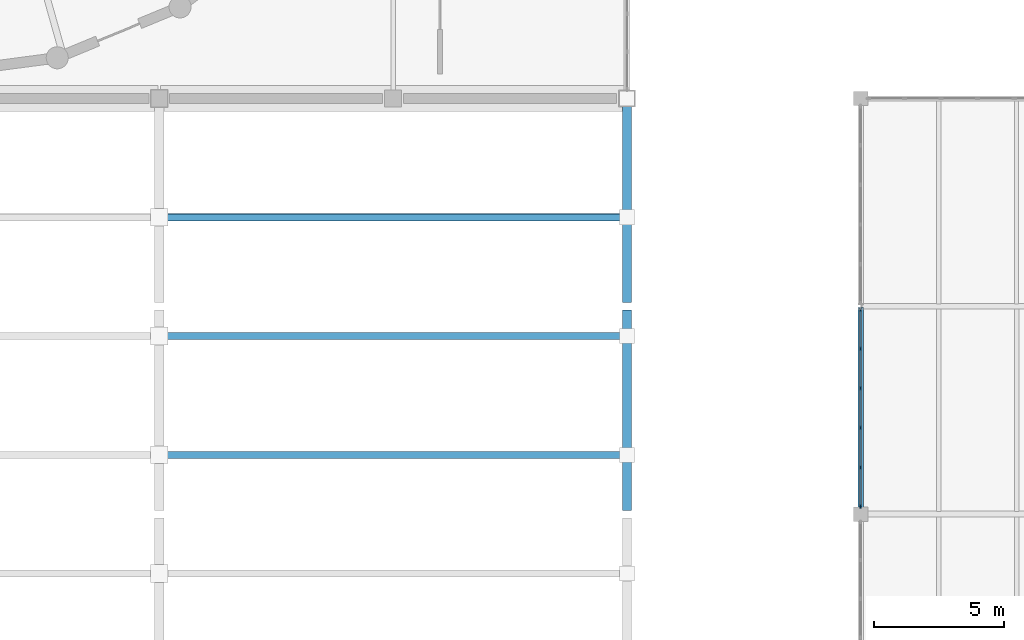
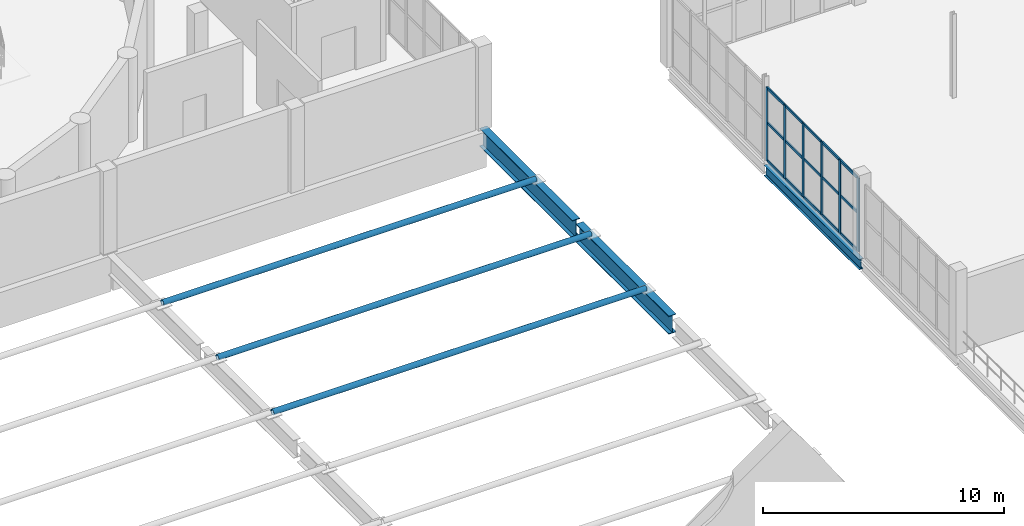
# One storey, part 14 of 54: 24 members, 3 beams, 1 element without a shape of its own.
"""IFC4 building model written with IfcOpenShell, lengths in metres."""

from ifc_helpers import new_model, si_unit, direction, frame, origin, origin_2d, place, context, subcontext, project, spatial, rectangle, hollow_circle, i_section, extrude, material, layer, layer_set, material_profile, profile_set, type_object, element, aggregate, save


model = new_model("IFC4")

# Units and contexts
model_context = context("Model", 3, precision=1e-05, world=origin(), true_north=direction((0.0, 1.0)))
body_context = subcontext(model_context, "Body", "Model", "MODEL_VIEW")
ifc_project = project(units=[si_unit("LENGTHUNIT", "METRE"), si_unit("AREAUNIT", "SQUARE_METRE"), si_unit("VOLUMEUNIT", "CUBIC_METRE"), si_unit("PLANEANGLEUNIT", "RADIAN"), si_unit("MASSUNIT", "GRAM", prefix="KILO")], contexts=[model_context])

# Site, building, storey
site_placement = place(None, origin())
site = spatial("IfcSite", under=ifc_project, at=site_placement, CompositionType="ELEMENT")
building_placement = place(site_placement, origin())
building = spatial("IfcBuilding", under=site, at=building_placement, Name="Marnock Terrace Opera House", CompositionType="ELEMENT")
storey_placement = place(building_placement, frame((0.0, 0.0, 19.199951171875)))
storey = spatial("IfcBuildingStorey", under=building, at=storey_placement, Name="L04", CompositionType="ELEMENT", Elevation=19.199951171875)

# Beams
ifc_material_1 = material(Name="Steel Grade 350 (AS/NZS 3679.1)", Category="steel")
ifc_material_profile_1 = material_profile(ifc_material_1, i_section(OverallWidth=0.208984375, OverallDepth=0.528076171875, WebThickness=0.009521484375, FlangeThickness=0.01318359375, FilletRadius=0.013916015625, at=origin_2d()))
ifc_profile_set_1 = profile_set([ifc_material_profile_1], Name="Steel Grade 350 (AS/NZS 3679.1)")
beam_type_1 = type_object("IfcBeamType", Name="BM-GIRD-530B", PredefinedType="BEAM", material=ifc_profile_set_1)
beam_placement = place(storey_placement, frame((118.0, 24.050048828125, -0.513916015625), z_axis=(0.0, 1.0, 0.0), x_axis=(-1.0, 0.0, 0.0)))
element("IfcBeam", 1, at=beam_placement, inside=storey, type_object=beam_type_1, Name="L04 girder (X=118.0, 24.0..32.0)", PredefinedType="BEAM", context=body_context, shape_type="SweptSolid", body=[
    extrude(i_section(OverallWidth=0.208984375, OverallDepth=0.528076171875, WebThickness=0.009521484375, FlangeThickness=0.01318359375, FilletRadius=0.013916015625, at=origin_2d()), origin(), (0.0, 0.0, 1.0), 7.89990234375),
])
ifc_material_2 = material(Name="Steel Grade 350 Welded (AS/NZS 3679.2)", Category="steel")
ifc_material_profile_2 = material_profile(ifc_material_2, i_section(OverallWidth=0.35009765625, OverallDepth=0.924072265625, WebThickness=0.01611328125, FlangeThickness=0.031982421875, at=origin_2d()))
ifc_profile_set_2 = profile_set([ifc_material_profile_2], Name="Steel Grade 350 Welded (AS/NZS 3679.2)")
beam_type_2 = type_object("IfcBeamType", Name="BM-VALLEY-900", PredefinedType="BEAM", material=ifc_profile_set_2)
for number, where, z_axis, x_axis, name in (
    (2, (109.0, 24.139892578125, -0.4619140625), (0.0, 1.0, 0.0), (-1.0, 0.0, 0.0), "Grand Hall barrel-vault valley girder X=109"),
    (3, (109.0, 32.139892578125, -0.4619140625), (0.0, 1.0, 0.0), (-1.0, 0.0, 0.0), "Grand Hall barrel-vault valley girder X=109"),
):
    element("IfcBeam", number, at=place(storey_placement, frame(where, z_axis=z_axis, x_axis=x_axis)), inside=storey, type_object=beam_type_2, Name=name, PredefinedType="BEAM", context=body_context, shape_type="SweptSolid", body=[
        extrude(i_section(OverallWidth=0.35009765625, OverallDepth=0.924072265625, WebThickness=0.01611328125, FlangeThickness=0.031982421875, at=origin_2d()), origin(), (0.0, 0.0, 1.0), 7.72021484375),
    ])

# Curtain wall, members
ifc_material_3 = material(Name="Anodised architectural bronze aluminium framing", Category="aluminium")
ifc_layer = layer(ifc_material_3, 0.159912109375)
ifc_layer_set = layer_set([ifc_layer], Name="Anodised architectural bronze aluminium framing")
curtain_wall_type = type_object("IfcCurtainWallType", Name="CW-DRUM-71x39", PredefinedType="NOTDEFINED", material=ifc_layer_set)
curtain_wall_placement = place(storey_placement, origin())
curtain_wall = element("IfcCurtainWall", 4, at=curtain_wall_placement, inside=storey, type_object=curtain_wall_type, Name="L04 glazed Beaux-Arts colonnade curtain wall CW-L04-V5W2", PredefinedType="NOTDEFINED")
ifc_material_profile_3 = material_profile(ifc_material_3, rectangle(XDim=0.06005859375, YDim=0.14990234375, at=origin_2d()))
ifc_profile_set_3 = profile_set([ifc_material_profile_3], Name="Anodised architectural bronze aluminium framing")
member_type_1 = type_object("IfcMemberType", Name="CWM-60x150", PredefinedType="MULLION", material=ifc_profile_set_3)
member_1_placement = place(storey_placement, frame((118.0, 24.301025390625, 0.0), z_axis=(0.0, 0.0, 1.0), x_axis=(-1.0, 0.0, 0.0)))
member_1 = element("IfcMember", 5, at=member_1_placement, type_object=member_type_1, Name="CW-76 mullion 1", PredefinedType="MULLION", context=body_context, shape_type="SweptSolid", body=[
    extrude(rectangle(XDim=0.06005859375, YDim=0.14990234375, at=origin_2d()), origin(), (0.0, 0.0, 1.0), 3.72216796875),
])
member_2_placement = place(storey_placement, frame((118.0, 25.796630859375, 0.0), z_axis=(0.0, 0.0, 1.0), x_axis=(-1.0, 0.0, 0.0)))
member_2 = element("IfcMember", 6, at=member_2_placement, type_object=member_type_1, Name="CW-76 mullion 2", PredefinedType="MULLION", context=body_context, shape_type="SweptSolid", body=[
    extrude(rectangle(XDim=0.06005859375, YDim=0.14990234375, at=origin_2d()), origin(), (0.0, 0.0, 1.0), 3.72216796875),
])
member_3_placement = place(storey_placement, frame((118.0, 27.322265625, 0.0), z_axis=(0.0, 0.0, 1.0), x_axis=(-1.0, 0.0, 0.0)))
member_3 = element("IfcMember", 7, at=member_3_placement, type_object=member_type_1, Name="CW-76 mullion 3", PredefinedType="MULLION", context=body_context, shape_type="SweptSolid", body=[
    extrude(rectangle(XDim=0.06005859375, YDim=0.14990234375, at=origin_2d()), origin(), (0.0, 0.0, 1.0), 3.72216796875),
])
member_4_placement = place(storey_placement, frame((118.0, 28.847900390625, 0.0), z_axis=(0.0, 0.0, 1.0), x_axis=(-1.0, 0.0, 0.0)))
member_4 = element("IfcMember", 8, at=member_4_placement, type_object=member_type_1, Name="CW-76 mullion 4", PredefinedType="MULLION", context=body_context, shape_type="SweptSolid", body=[
    extrude(rectangle(XDim=0.06005859375, YDim=0.14990234375, at=origin_2d()), origin(), (0.0, 0.0, 1.0), 3.72216796875),
])
member_5_placement = place(storey_placement, frame((118.0, 30.37353515625, 0.0), z_axis=(0.0, 0.0, 1.0), x_axis=(-1.0, 0.0, 0.0)))
member_5 = element("IfcMember", 9, at=member_5_placement, type_object=member_type_1, Name="CW-76 mullion 5", PredefinedType="MULLION", context=body_context, shape_type="SweptSolid", body=[
    extrude(rectangle(XDim=0.06005859375, YDim=0.14990234375, at=origin_2d()), origin(), (0.0, 0.0, 1.0), 3.72216796875),
])
member_6_placement = place(storey_placement, frame((118.0, 31.869140625, 0.0), z_axis=(0.0, 0.0, 1.0), x_axis=(-1.0, 0.0, 0.0)))
member_6 = element("IfcMember", 10, at=member_6_placement, type_object=member_type_1, Name="CW-76 mullion 6", PredefinedType="MULLION", context=body_context, shape_type="SweptSolid", body=[
    extrude(rectangle(XDim=0.06005859375, YDim=0.14990234375, at=origin_2d()), origin(), (0.0, 0.0, 1.0), 3.72216796875),
])
ifc_material_profile_4 = material_profile(ifc_material_3, rectangle(XDim=0.06005859375, YDim=0.1298828125, at=origin_2d()))
ifc_profile_set_4 = profile_set([ifc_material_profile_4], Name="Anodised architectural bronze aluminium framing")
member_type_2 = type_object("IfcMemberType", Name="CWT-60x130", PredefinedType="USERDEFINED", material=ifc_profile_set_4)
member_7_placement = place(storey_placement, frame((118.0, 24.3310546875, 0.030029296875), z_axis=(0.0, 1.0, 0.0), x_axis=(-1.0, 0.0, 0.0)))
member_7 = element("IfcMember", 11, at=member_7_placement, type_object=member_type_2, Name="CW-76 transom 1.1", ObjectType="TRANSOM", PredefinedType="USERDEFINED", context=body_context, shape_type="SweptSolid", body=[
    extrude(rectangle(XDim=0.06005859375, YDim=0.1298828125, at=origin_2d()), origin(), (0.0, 0.0, 1.0), 1.435546875),
])
member_8_placement = place(storey_placement, frame((118.0, 24.3310546875, 1.935546875), z_axis=(0.0, 1.0, 0.0), x_axis=(-1.0, 0.0, 0.0)))
member_8 = element("IfcMember", 12, at=member_8_placement, type_object=member_type_2, Name="CW-76 transom 1.2", ObjectType="TRANSOM", PredefinedType="USERDEFINED", context=body_context, shape_type="SweptSolid", body=[
    extrude(rectangle(XDim=0.06005859375, YDim=0.1298828125, at=origin_2d()), origin(), (0.0, 0.0, 1.0), 1.435546875),
])
member_9_placement = place(storey_placement, frame((118.0, 24.3310546875, 3.692138671875), z_axis=(0.0, 1.0, 0.0), x_axis=(-1.0, 0.0, 0.0)))
member_9 = element("IfcMember", 13, at=member_9_placement, type_object=member_type_2, Name="CW-76 transom 1.3", ObjectType="TRANSOM", PredefinedType="USERDEFINED", context=body_context, shape_type="SweptSolid", body=[
    extrude(rectangle(XDim=0.06005859375, YDim=0.1298828125, at=origin_2d()), origin(), (0.0, 0.0, 1.0), 1.435546875),
])
member_10_placement = place(storey_placement, frame((118.0, 25.82666015625, 0.030029296875), z_axis=(0.0, 1.0, 0.0), x_axis=(-1.0, 0.0, 0.0)))
member_10 = element("IfcMember", 14, at=member_10_placement, type_object=member_type_2, Name="CW-76 transom 2.1", ObjectType="TRANSOM", PredefinedType="USERDEFINED", context=body_context, shape_type="SweptSolid", body=[
    extrude(rectangle(XDim=0.06005859375, YDim=0.1298828125, at=origin_2d()), origin(), (0.0, 0.0, 1.0), 1.465576171875),
])
member_11_placement = place(storey_placement, frame((118.0, 25.82666015625, 1.935546875), z_axis=(0.0, 1.0, 0.0), x_axis=(-1.0, 0.0, 0.0)))
member_11 = element("IfcMember", 15, at=member_11_placement, type_object=member_type_2, Name="CW-76 transom 2.2", ObjectType="TRANSOM", PredefinedType="USERDEFINED", context=body_context, shape_type="SweptSolid", body=[
    extrude(rectangle(XDim=0.06005859375, YDim=0.1298828125, at=origin_2d()), origin(), (0.0, 0.0, 1.0), 1.465576171875),
])
member_12_placement = place(storey_placement, frame((118.0, 25.82666015625, 3.692138671875), z_axis=(0.0, 1.0, 0.0), x_axis=(-1.0, 0.0, 0.0)))
member_12 = element("IfcMember", 16, at=member_12_placement, type_object=member_type_2, Name="CW-76 transom 2.3", ObjectType="TRANSOM", PredefinedType="USERDEFINED", context=body_context, shape_type="SweptSolid", body=[
    extrude(rectangle(XDim=0.06005859375, YDim=0.1298828125, at=origin_2d()), origin(), (0.0, 0.0, 1.0), 1.465576171875),
])
member_13_placement = place(storey_placement, frame((118.0, 27.352294921875, 0.030029296875), z_axis=(0.0, 1.0, 0.0), x_axis=(-1.0, 0.0, 0.0)))
member_13 = element("IfcMember", 17, at=member_13_placement, type_object=member_type_2, Name="CW-76 transom 3.1", ObjectType="TRANSOM", PredefinedType="USERDEFINED", context=body_context, shape_type="SweptSolid", body=[
    extrude(rectangle(XDim=0.06005859375, YDim=0.1298828125, at=origin_2d()), origin(), (0.0, 0.0, 1.0), 1.465576171875),
])
member_14_placement = place(storey_placement, frame((118.0, 27.352294921875, 1.935546875), z_axis=(0.0, 1.0, 0.0), x_axis=(-1.0, 0.0, 0.0)))
member_14 = element("IfcMember", 18, at=member_14_placement, type_object=member_type_2, Name="CW-76 transom 3.2", ObjectType="TRANSOM", PredefinedType="USERDEFINED", context=body_context, shape_type="SweptSolid", body=[
    extrude(rectangle(XDim=0.06005859375, YDim=0.1298828125, at=origin_2d()), origin(), (0.0, 0.0, 1.0), 1.465576171875),
])
member_15_placement = place(storey_placement, frame((118.0, 27.352294921875, 3.692138671875), z_axis=(0.0, 1.0, 0.0), x_axis=(-1.0, 0.0, 0.0)))
member_15 = element("IfcMember", 19, at=member_15_placement, type_object=member_type_2, Name="CW-76 transom 3.3", ObjectType="TRANSOM", PredefinedType="USERDEFINED", context=body_context, shape_type="SweptSolid", body=[
    extrude(rectangle(XDim=0.06005859375, YDim=0.1298828125, at=origin_2d()), origin(), (0.0, 0.0, 1.0), 1.465576171875),
])
member_16_placement = place(storey_placement, frame((118.0, 28.8779296875, 0.030029296875), z_axis=(0.0, 1.0, 0.0), x_axis=(-1.0, 0.0, 0.0)))
member_16 = element("IfcMember", 20, at=member_16_placement, type_object=member_type_2, Name="CW-76 transom 4.1", ObjectType="TRANSOM", PredefinedType="USERDEFINED", context=body_context, shape_type="SweptSolid", body=[
    extrude(rectangle(XDim=0.06005859375, YDim=0.1298828125, at=origin_2d()), origin(), (0.0, 0.0, 1.0), 1.465576171875),
])
member_17_placement = place(storey_placement, frame((118.0, 28.8779296875, 1.935546875), z_axis=(0.0, 1.0, 0.0), x_axis=(-1.0, 0.0, 0.0)))
member_17 = element("IfcMember", 21, at=member_17_placement, type_object=member_type_2, Name="CW-76 transom 4.2", ObjectType="TRANSOM", PredefinedType="USERDEFINED", context=body_context, shape_type="SweptSolid", body=[
    extrude(rectangle(XDim=0.06005859375, YDim=0.1298828125, at=origin_2d()), origin(), (0.0, 0.0, 1.0), 1.465576171875),
])
member_18_placement = place(storey_placement, frame((118.0, 28.8779296875, 3.692138671875), z_axis=(0.0, 1.0, 0.0), x_axis=(-1.0, 0.0, 0.0)))
member_18 = element("IfcMember", 22, at=member_18_placement, type_object=member_type_2, Name="CW-76 transom 4.3", ObjectType="TRANSOM", PredefinedType="USERDEFINED", context=body_context, shape_type="SweptSolid", body=[
    extrude(rectangle(XDim=0.06005859375, YDim=0.1298828125, at=origin_2d()), origin(), (0.0, 0.0, 1.0), 1.465576171875),
])
member_19_placement = place(storey_placement, frame((118.0, 30.403564453125, 0.030029296875), z_axis=(0.0, 1.0, 0.0), x_axis=(-1.0, 0.0, 0.0)))
member_19 = element("IfcMember", 23, at=member_19_placement, type_object=member_type_2, Name="CW-76 transom 5.1", ObjectType="TRANSOM", PredefinedType="USERDEFINED", context=body_context, shape_type="SweptSolid", body=[
    extrude(rectangle(XDim=0.06005859375, YDim=0.1298828125, at=origin_2d()), origin(), (0.0, 0.0, 1.0), 1.435546875),
])
member_20_placement = place(storey_placement, frame((118.0, 30.403564453125, 1.935546875), z_axis=(0.0, 1.0, 0.0), x_axis=(-1.0, 0.0, 0.0)))
member_20 = element("IfcMember", 24, at=member_20_placement, type_object=member_type_2, Name="CW-76 transom 5.2", ObjectType="TRANSOM", PredefinedType="USERDEFINED", context=body_context, shape_type="SweptSolid", body=[
    extrude(rectangle(XDim=0.06005859375, YDim=0.1298828125, at=origin_2d()), origin(), (0.0, 0.0, 1.0), 1.435546875),
])
member_21_placement = place(storey_placement, frame((118.0, 30.403564453125, 3.692138671875), z_axis=(0.0, 1.0, 0.0), x_axis=(-1.0, 0.0, 0.0)))
member_21 = element("IfcMember", 25, at=member_21_placement, type_object=member_type_2, Name="CW-76 transom 5.3", ObjectType="TRANSOM", PredefinedType="USERDEFINED", context=body_context, shape_type="SweptSolid", body=[
    extrude(rectangle(XDim=0.06005859375, YDim=0.1298828125, at=origin_2d()), origin(), (0.0, 0.0, 1.0), 1.435546875),
])
aggregate(curtain_wall, [member_1, member_2, member_3, member_4, member_5, member_6, member_7, member_8, member_9, member_10, member_11, member_12, member_13, member_14, member_15, member_16, member_17, member_18, member_19, member_20, member_21])

# Members
ifc_material_4 = material(Name="Cold-formed Steel Grade C350L0 (AS/NZS 1163)", Category="steel")
ifc_material_profile_5 = material_profile(ifc_material_4, hollow_circle(Radius=0.136474609375, WallThickness=0.00927734375, at=origin_2d()))
ifc_profile_set_5 = profile_set([ifc_material_profile_5], Name="Cold-formed Steel Grade C350L0 (AS/NZS 1163)")
member_type_3 = type_object("IfcMemberType", Name="MEM-VAULT-TIE", PredefinedType="COLLAR", material=ifc_profile_set_5)
for number, where, z_axis, x_axis, name in (
    (26, (91.050048828125, 26.28564453125, 0.06005859375), (1.0, 0.0, 0.0), (0.0, 1.0, 0.0), "Barrel vault 3 station 5 springing tension tie"),
    (27, (91.050048828125, 30.857177734375, 0.06005859375), (1.0, 0.0, 0.0), (0.0, 1.0, 0.0), "Barrel vault 3 station 6 springing tension tie"),
    (28, (91.050048828125, 35.428466796875, 0.06005859375), (1.0, 0.0, 0.0), (0.0, 1.0, 0.0), "Barrel vault 3 station 7 springing tension tie"),
):
    element("IfcMember", number, at=place(storey_placement, frame(where, z_axis=z_axis, x_axis=x_axis)), inside=storey, type_object=member_type_3, Name=name, PredefinedType="COLLAR", context=body_context, shape_type="SweptSolid", body=[
        extrude(hollow_circle(Radius=0.136474609375, WallThickness=0.00927734375, at=origin_2d()), origin(), (0.0, 0.0, 1.0), 17.89990234375),
    ])

save(model, "model.ifc")
